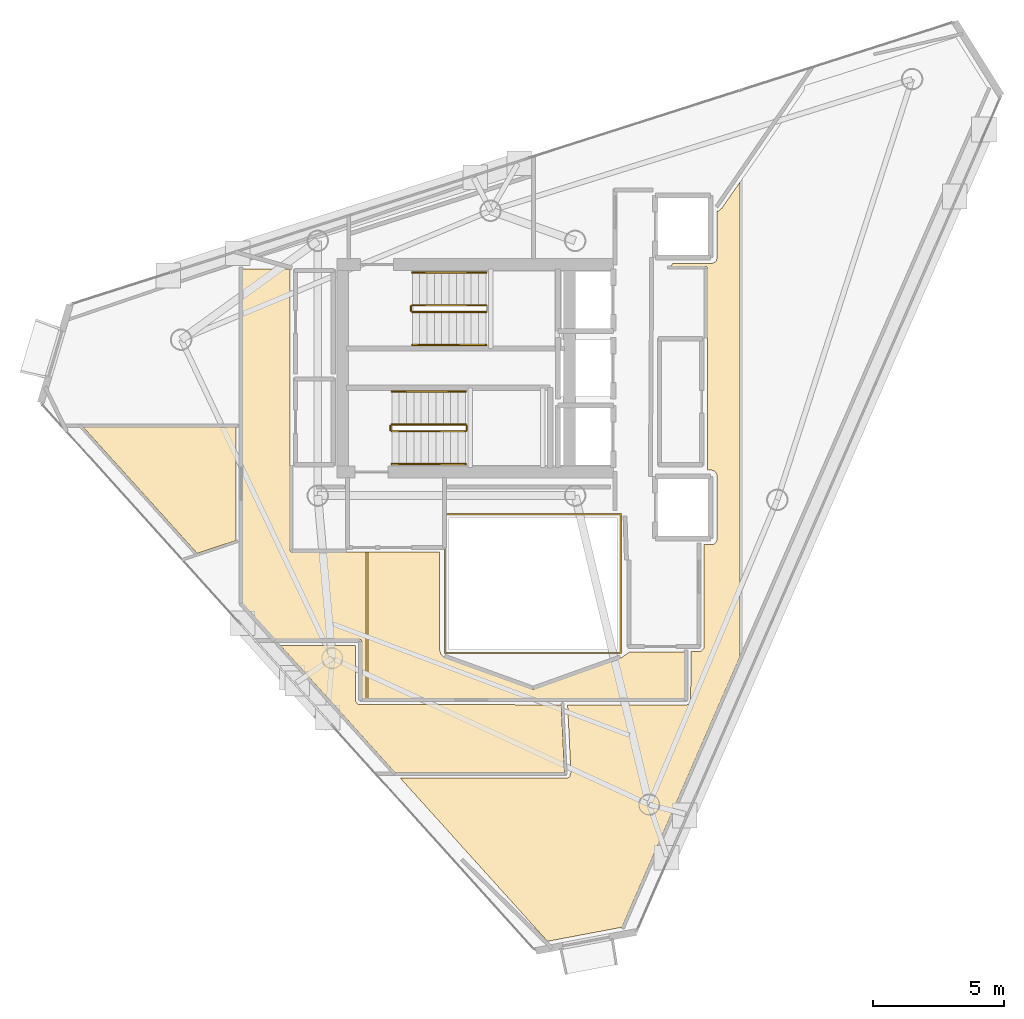
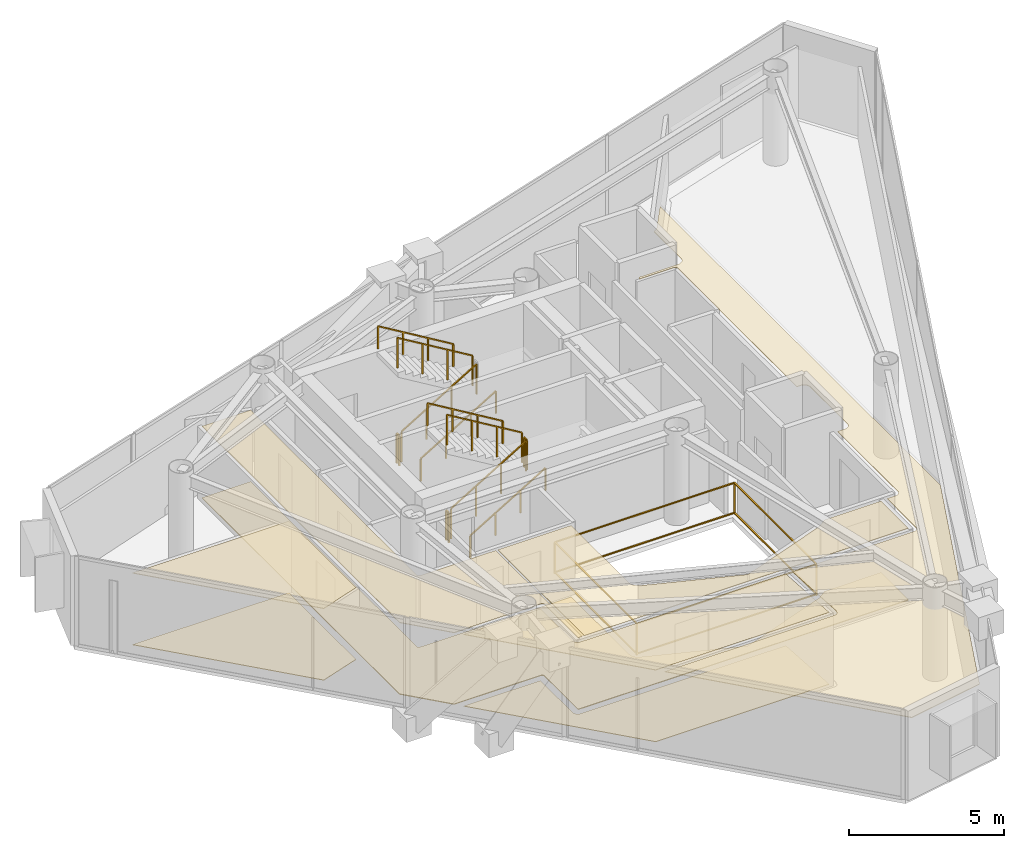
# One storey, part 18 of 19: 12 railings, 8 coverings.
"""IFC4 building model written with IfcOpenShell, lengths in metres."""

from ifc_helpers import new_model, si_unit, direction, frame, origin, origin_2d, place, context, subcontext, project, spatial, polyline, rectangle, outline, extrude, material, layer, layer_set, type_object, element, save


model = new_model("IFC4")

# Units and contexts
model_context = context("Model", 3, precision=1e-05, world=origin(), true_north=direction((0.0, 1.0)))
body_context = subcontext(model_context, "Body", "Model", "MODEL_VIEW")
ifc_project = project(units=[si_unit("LENGTHUNIT", "METRE"), si_unit("AREAUNIT", "SQUARE_METRE"), si_unit("VOLUMEUNIT", "CUBIC_METRE"), si_unit("PLANEANGLEUNIT", "RADIAN"), si_unit("MASSUNIT", "GRAM", prefix="KILO")], contexts=[model_context])

# Site, building, storey
site_placement = place(None, origin())
site = spatial("IfcSite", under=ifc_project, at=site_placement, CompositionType="ELEMENT")
building_placement = place(site_placement, origin())
building = spatial("IfcBuilding", under=site, at=building_placement, Name="Qianvela Tower", CompositionType="ELEMENT")
storey_placement = place(building_placement, frame((0.0, 0.0, 329.60009765625)))
storey = spatial("IfcBuildingStorey", under=building, at=storey_placement, Name="L85", CompositionType="ELEMENT", Elevation=329.60009765625)

# Coverings
ifc_material_1 = material(Name="Perforated Mineral Acoustic Ceiling Tile")
ifc_layer_1 = layer(ifc_material_1, 0.02490234375)
ifc_layer_set_1 = layer_set([ifc_layer_1], Name="Perforated Mineral Acoustic Ceiling Tile")
covering_type_1 = type_object("IfcCoveringType", Name="COV-CEIL-ACOUSTIC-25", PredefinedType="CEILING", material=ifc_layer_set_1)
covering_1_placement = place(storey_placement, frame((0.0, 0.0, 2.81494140625)))
element("IfcCovering", 1, at=covering_1_placement, inside=storey, type_object=covering_type_1, Name="L85 Acoustic Ceiling Bay 1 L85 Floor Corridor", PredefinedType="CEILING", context=body_context, shape_type="SweptSolid", body=[
    extrude(outline(polyline([(30.280029296875, 16.1298828125), (30.280029296875, 18.300048828125), (30.279541015625, 18.307861328125), (30.278564453125, 18.315673828125), (30.276611328125, 18.3232421875), (30.27392578125, 18.33056640625), (30.2705078125, 18.337646484375), (30.2666015625, 18.344482421875), (30.26171875, 18.350830078125), (30.256591796875, 18.356689453125), (30.250732421875, 18.36181640625), (30.244384765625, 18.366455078125), (30.23779296875, 18.37060546875), (30.230712890625, 18.373779296875), (30.22314453125, 18.376708984375), (30.215576171875, 18.37841796875), (30.207763671875, 18.379638671875), (30.199951171875, 18.3798828125), (26.9658203125, 18.3798828125), (25.72998046875, 19.74853515625), (25.72998046875, 32.469970703125), (27.5400390625, 32.469970703125), (27.5400390625, 21.780029296875), (27.540283203125, 21.772216796875), (27.54150390625, 21.764404296875), (27.54345703125, 21.7568359375), (27.546142578125, 21.74951171875), (27.54931640625, 21.7421875), (27.553466796875, 21.735595703125), (27.55810546875, 21.729248046875), (27.5634765625, 21.723388671875), (27.569091796875, 21.71826171875), (27.57568359375, 21.71337890625), (27.582275390625, 21.70947265625), (27.58935546875, 21.7060546875), (27.5966796875, 21.703369140625), (27.6044921875, 21.701416015625), (27.6123046875, 21.700439453125), (27.6201171875, 21.699951171875), (30.4326171875, 21.699951171875), (30.4326171875, 16.1298828125), (30.280029296875, 16.1298828125)])), origin(), (0.0, 0.0, 1.0), 0.02490234375),
])
covering_2_placement = place(storey_placement, frame((0.0, 0.0, 2.81494140625)))
element("IfcCovering", 2, at=covering_2_placement, inside=storey, type_object=covering_type_1, Name="L85 Acoustic Ceiling Bay 2 L85 Floor Corridor", PredefinedType="CEILING", context=body_context, shape_type="SweptSolid", body=[
    extrude(outline(polyline([(33.240478515625, 17.990234375), (33.242431640625, 17.980712890625), (33.275390625, 17.8486328125), (33.277587890625, 17.841064453125), (33.28076171875, 17.833740234375), (33.284423828125, 17.826904296875), (33.288818359375, 17.8203125), (33.293701171875, 17.814208984375), (33.38525390625, 17.71337890625), (33.390625, 17.7080078125), (33.396728515625, 17.702880859375), (33.4033203125, 17.698486328125), (33.41015625, 17.69482421875), (33.417236328125, 17.69189453125), (36.77294921875, 16.482666015625), (36.780517578125, 16.48046875), (36.7880859375, 16.47900390625), (36.7958984375, 16.47802734375), (36.8037109375, 16.47802734375), (36.811767578125, 16.47900390625), (36.8193359375, 16.48046875), (36.826904296875, 16.482666015625), (40.134033203125, 17.666015625), (40.140869140625, 17.668701171875), (40.1474609375, 17.672119140625), (40.153564453125, 17.676025390625), (40.458740234375, 17.89306640625), (42.570068359375, 17.899658203125), (42.570068359375, 16.1298828125), (30.5126953125, 16.1298828125), (30.5126953125, 21.699951171875), (33.239990234375, 21.699951171875), (33.239990234375, 18.0), (33.240478515625, 17.990234375)])), origin(), (0.0, 0.0, 1.0), 0.02490234375),
])
covering_3_placement = place(storey_placement, frame((0.0, 0.0, 2.81494140625)))
element("IfcCovering", 3, at=covering_3_placement, inside=storey, type_object=covering_type_1, Name="L85 Acoustic Ceiling Commons Day Lounge L85-01", PredefinedType="CEILING", context=body_context, shape_type="SweptSolid", body=[
    extrude(outline(polyline([(24.01123046875, 21.652099609375), (19.67041015625, 26.459716796875), (25.489990234375, 26.459716796875), (25.489990234375, 22.142822265625), (24.01123046875, 21.652099609375)])), origin(), (0.0, 0.0, 1.0), 0.02490234375),
])
covering_4_placement = place(storey_placement, frame((0.0, 0.0, 2.81494140625)))
element("IfcCovering", 4, at=covering_4_placement, inside=storey, type_object=covering_type_1, Name="L85 Acoustic Ceiling Quiet Reading Study L85-02", PredefinedType="CEILING", context=body_context, shape_type="SweptSolid", body=[
    extrude(outline(polyline([(30.0400390625, 18.139892578125), (30.0400390625, 16.050048828125), (30.040283203125, 16.042236328125), (30.04150390625, 16.034423828125), (30.04345703125, 16.02685546875), (30.046142578125, 16.019287109375), (30.04931640625, 16.01220703125), (30.053466796875, 16.005615234375), (30.05810546875, 15.999267578125), (30.12255859375, 15.9208984375), (30.127685546875, 15.9150390625), (30.133544921875, 15.90966796875), (30.139892578125, 15.905029296875), (30.146728515625, 15.90087890625), (30.15380859375, 15.897705078125), (30.1611328125, 15.89501953125), (30.168701171875, 15.89306640625), (30.176513671875, 15.891845703125), (30.184326171875, 15.8916015625), (37.8671875, 15.889892578125), (37.99169921875, 13.316162109375), (31.537841796875, 13.316162109375), (27.182373046875, 18.139892578125), (30.0400390625, 18.139892578125)])), origin(), (0.0, 0.0, 1.0), 0.02490234375),
])
covering_5_placement = place(storey_placement, frame((0.0, 0.0, 2.81494140625)))
element("IfcCovering", 5, at=covering_5_placement, inside=storey, type_object=covering_type_1, Name="L85 Acoustic Ceiling Bay 1 Stationery Supply Boutique L85-04", PredefinedType="CEILING", context=body_context, shape_type="SweptSolid", body=[
    extrude(outline(polyline([(38.21630859375, 13.2626953125), (38.22119140625, 13.2685546875), (38.22509765625, 13.27490234375), (38.228759765625, 13.28173828125), (38.2314453125, 13.288818359375), (38.233642578125, 13.296142578125), (38.235107421875, 13.3037109375), (38.23583984375, 13.311279296875), (38.23583984375, 13.31884765625), (38.111328125, 15.889892578125), (42.64990234375, 15.889892578125), (42.65771484375, 15.890380859375), (42.66552734375, 15.8916015625), (42.673095703125, 15.893310546875), (42.6806640625, 15.89599609375), (42.687744140625, 15.8994140625), (42.754150390625, 15.93505859375), (42.760986328125, 15.93896484375), (42.76708984375, 15.943603515625), (42.77294921875, 15.948974609375), (42.7783203125, 15.95458984375), (42.782958984375, 15.9609375), (42.787109375, 15.967529296875), (42.790283203125, 15.974609375), (42.79296875, 15.98193359375), (42.794921875, 15.989501953125), (42.796142578125, 15.997314453125), (42.79638671875, 16.005126953125), (42.806884765625, 17.920166015625), (43.157958984375, 17.92041015625), (43.165771484375, 17.9208984375), (43.173583984375, 17.921875), (43.18115234375, 17.923828125), (43.1884765625, 17.926513671875), (43.195556640625, 17.9296875), (43.202392578125, 17.933837890625), (43.20849609375, 17.938720703125), (43.21435546875, 17.94384765625), (43.2861328125, 18.015625), (43.29150390625, 18.021484375), (43.296142578125, 18.027587890625), (43.30029296875, 18.034423828125), (43.303466796875, 18.04150390625), (43.30615234375, 18.048828125), (43.30810546875, 18.056640625), (43.30908203125, 18.064208984375), (43.3095703125, 18.072265625), (43.309326171875, 21.981201171875), (43.621826171875, 21.986083984375), (43.62939453125, 21.986572265625), (43.63720703125, 21.98779296875), (43.64453125, 21.98974609375), (43.651611328125, 21.9921875), (43.658447265625, 21.99560546875), (43.6650390625, 21.99951171875), (43.732666015625, 22.044677734375), (43.739013671875, 22.04931640625), (43.744873046875, 22.0546875), (43.75, 22.060302734375), (43.754638671875, 22.066650390625), (43.7587890625, 22.073486328125), (43.76220703125, 22.08056640625), (43.793212890625, 22.15576171875), (43.7958984375, 22.1630859375), (43.7978515625, 22.170654296875), (43.798828125, 22.178466796875), (43.79931640625, 22.186279296875), (43.79931640625, 24.61376953125), (43.799072265625, 24.620849609375), (43.798095703125, 24.627685546875), (43.79638671875, 24.634765625), (43.79443359375, 24.641357421875), (43.79150390625, 24.64794921875), (43.751220703125, 24.733154296875), (43.74755859375, 24.739990234375), (43.743408203125, 24.74658203125), (43.73828125, 24.752685546875), (43.732666015625, 24.75830078125), (43.726806640625, 24.76318359375), (43.72021484375, 24.767578125), (43.713134765625, 24.771240234375), (43.6279296875, 24.8115234375), (43.619873046875, 24.81494140625), (43.611328125, 24.8173828125), (43.6025390625, 24.81884765625), (43.59375, 24.8193359375), (43.423828125, 24.8193359375), (43.423828125, 24.8193359375), (43.426513671875, 24.826904296875), (43.428466796875, 24.83447265625), (43.4296875, 24.84228515625), (43.429931640625, 24.85009765625), (43.429931640625, 32.5), (43.4296875, 32.5078125), (43.428466796875, 32.515625), (43.426513671875, 32.523193359375), (43.423828125, 32.530517578125), (43.420654296875, 32.53759765625), (43.41650390625, 32.54443359375), (43.411865234375, 32.55078125), (43.406494140625, 32.556640625), (43.40087890625, 32.561767578125), (43.394287109375, 32.56640625), (43.3876953125, 32.570556640625), (43.380615234375, 32.573974609375), (43.373291015625, 32.57666015625), (43.365478515625, 32.57861328125), (43.35791015625, 32.57958984375), (43.35009765625, 32.580078125), (42.04541015625, 32.580078125), (42.10009765625, 32.679931640625), (43.580078125, 32.679931640625), (43.587890625, 32.680419921875), (43.595703125, 32.681396484375), (43.603271484375, 32.683349609375), (43.610595703125, 32.68603515625), (43.61767578125, 32.689453125), (43.734130859375, 32.751708984375), (43.740966796875, 32.755615234375), (43.747314453125, 32.760498046875), (43.7529296875, 32.765625), (43.75830078125, 32.771484375), (43.762939453125, 32.77783203125), (43.76708984375, 32.784423828125), (43.770263671875, 32.79150390625), (43.77294921875, 32.799072265625), (43.796630859375, 32.876708984375), (43.798583984375, 32.884521484375), (43.799560546875, 32.89208984375), (43.800048828125, 32.89990234375), (43.800048828125, 34.67578125), (43.852783203125, 34.68896484375), (43.860107421875, 34.691162109375), (43.8671875, 34.694091796875), (43.8740234375, 34.697509765625), (43.880615234375, 34.701904296875), (43.88671875, 34.70654296875), (43.971435546875, 34.78173828125), (43.97802734375, 34.788330078125), (43.98388671875, 34.7958984375), (44.6708984375, 35.779296875), (44.6708984375, 17.718017578125), (40.1787109375, 7.419921875), (37.34521484375, 6.884765625), (31.74609375, 13.09423828125), (38.088134765625, 13.095458984375), (38.095703125, 13.095703125), (38.10302734375, 13.096923828125), (38.1103515625, 13.0986328125), (38.117431640625, 13.10107421875), (38.124267578125, 13.104248046875), (38.130859375, 13.10791015625), (38.136962890625, 13.1123046875), (38.18017578125, 13.1455078125), (38.186279296875, 13.150634765625), (38.191650390625, 13.15625), (38.196533203125, 13.16259765625), (38.20068359375, 13.169189453125), (38.204345703125, 13.17626953125), (38.207275390625, 13.18359375), (38.209228515625, 13.191162109375), (38.210693359375, 13.198974609375), (38.211181640625, 13.206787109375), (38.21240234375, 13.258544921875), (38.21630859375, 13.2626953125)])), origin(), (0.0, 0.0, 1.0), 0.02490234375),
])
ifc_material_2 = material(Name="Engineered Acoustic Oak Timber Flooring", Category="wood")
ifc_layer_2 = layer(ifc_material_2, 0.02001953125)
ifc_layer_set_2 = layer_set([ifc_layer_2], Name="Engineered Acoustic Oak Timber Flooring")
covering_type_2 = type_object("IfcCoveringType", Name="COV-FLOOR-OAK-20", PredefinedType="FLOORING", material=ifc_layer_set_2)
covering_6_placement = place(storey_placement, origin())
element("IfcCovering", 6, at=covering_6_placement, inside=storey, type_object=covering_type_2, Name="L85 Finish Flooring Commons Day Lounge L85-01", PredefinedType="FLOORING", context=body_context, shape_type="SweptSolid", body=[
    extrude(outline(polyline([(24.01123046875, 21.652099609375), (19.67041015625, 26.459716796875), (25.489990234375, 26.459716796875), (25.489990234375, 22.142822265625), (24.01123046875, 21.652099609375)])), origin(), (0.0, 0.0, 1.0), 0.02001953125),
])
covering_7_placement = place(storey_placement, origin())
element("IfcCovering", 7, at=covering_7_placement, inside=storey, type_object=covering_type_2, Name="L85 Finish Flooring Quiet Reading Study L85-02", PredefinedType="FLOORING", context=body_context, shape_type="SweptSolid", body=[
    extrude(outline(polyline([(30.0400390625, 18.139892578125), (30.0400390625, 16.050048828125), (30.040283203125, 16.042236328125), (30.04150390625, 16.034423828125), (30.04345703125, 16.02685546875), (30.046142578125, 16.019287109375), (30.04931640625, 16.01220703125), (30.053466796875, 16.005615234375), (30.05810546875, 15.999267578125), (30.12255859375, 15.9208984375), (30.127685546875, 15.9150390625), (30.133544921875, 15.90966796875), (30.139892578125, 15.905029296875), (30.146728515625, 15.90087890625), (30.15380859375, 15.897705078125), (30.1611328125, 15.89501953125), (30.168701171875, 15.89306640625), (30.176513671875, 15.891845703125), (30.184326171875, 15.8916015625), (37.8671875, 15.889892578125), (37.99169921875, 13.316162109375), (31.537841796875, 13.316162109375), (27.182373046875, 18.139892578125), (30.0400390625, 18.139892578125)])), origin(), (0.0, 0.0, 1.0), 0.02001953125),
])
ifc_material_3 = material(Name="Honed Stone Terrazzo Flooring", Category="masonry")
ifc_layer_3 = layer(ifc_material_3, 0.030029296875)
ifc_layer_set_3 = layer_set([ifc_layer_3], Name="Honed Stone Terrazzo Flooring")
covering_type_3 = type_object("IfcCoveringType", Name="COV-FLOOR-TERRAZZO-30", PredefinedType="FLOORING", material=ifc_layer_set_3)
covering_8_placement = place(storey_placement, origin())
element("IfcCovering", 8, at=covering_8_placement, inside=storey, type_object=covering_type_3, Name="L85 Finish Flooring L85 Floor Corridor", PredefinedType="FLOORING", context=body_context, shape_type="SweptSolid", body=[
    extrude(outline(polyline([(33.239990234375, 18.0), (33.240478515625, 17.990234375), (33.242431640625, 17.980712890625), (33.275390625, 17.8486328125), (33.277587890625, 17.841064453125), (33.28076171875, 17.833740234375), (33.284423828125, 17.826904296875), (33.288818359375, 17.8203125), (33.293701171875, 17.814208984375), (33.38525390625, 17.71337890625), (33.390625, 17.7080078125), (33.396728515625, 17.702880859375), (33.4033203125, 17.698486328125), (33.41015625, 17.69482421875), (33.417236328125, 17.69189453125), (36.77294921875, 16.482666015625), (36.780517578125, 16.48046875), (36.7880859375, 16.47900390625), (36.7958984375, 16.47802734375), (36.8037109375, 16.47802734375), (36.811767578125, 16.47900390625), (36.8193359375, 16.48046875), (36.826904296875, 16.482666015625), (40.134033203125, 17.666015625), (40.140869140625, 17.668701171875), (40.1474609375, 17.672119140625), (40.153564453125, 17.676025390625), (40.458740234375, 17.89306640625), (42.570068359375, 17.899658203125), (42.570068359375, 16.1298828125), (30.280029296875, 16.1298828125), (30.280029296875, 18.300048828125), (30.279541015625, 18.307861328125), (30.278564453125, 18.315673828125), (30.276611328125, 18.3232421875), (30.27392578125, 18.33056640625), (30.2705078125, 18.337646484375), (30.2666015625, 18.344482421875), (30.26171875, 18.350830078125), (30.256591796875, 18.356689453125), (30.250732421875, 18.36181640625), (30.244384765625, 18.366455078125), (30.23779296875, 18.37060546875), (30.230712890625, 18.373779296875), (30.22314453125, 18.376708984375), (30.215576171875, 18.37841796875), (30.207763671875, 18.379638671875), (30.199951171875, 18.3798828125), (26.9658203125, 18.3798828125), (25.72998046875, 19.74853515625), (25.72998046875, 32.469970703125), (27.5400390625, 32.469970703125), (27.5400390625, 21.780029296875), (27.540283203125, 21.772216796875), (27.54150390625, 21.764404296875), (27.54345703125, 21.7568359375), (27.546142578125, 21.74951171875), (27.54931640625, 21.7421875), (27.553466796875, 21.735595703125), (27.55810546875, 21.729248046875), (27.5634765625, 21.723388671875), (27.569091796875, 21.71826171875), (27.57568359375, 21.71337890625), (27.582275390625, 21.70947265625), (27.58935546875, 21.7060546875), (27.5966796875, 21.703369140625), (27.6044921875, 21.701416015625), (27.6123046875, 21.700439453125), (27.6201171875, 21.699951171875), (33.239990234375, 21.699951171875), (33.239990234375, 18.0)])), origin(), (0.0, 0.0, 1.0), 0.02978515625),
])

# Railings
ifc_material_4 = material(Name="Laminated Safety Glass and Stainless Steel 316", Category="steel")
railing_type_1 = type_object("IfcRailingType", Name="RL-ATRIUM-GUARD-1250", PredefinedType="GUARDRAIL", material=ifc_material_4)
railing_1_placement = place(storey_placement, frame((33.4599609375, 17.860107421875, 0.0)))
element("IfcRailing", 9, at=railing_1_placement, inside=storey, type_object=railing_type_1, Name="L85 Atrium Edge Guardrail 1", PredefinedType="GUARDRAIL", context=body_context, shape_type="SweptSolid", body=[
    extrude(rectangle(XDim=0.050048828125, YDim=0.0400390625, at=origin_2d()), frame((0.0, 0.0, 1.22998046875), z_axis=(0.0, 1.0, 0.0), x_axis=(-1.0, 0.0, 0.0)), (0.0, 0.0, 1.0), 5.27978515625),
    extrude(rectangle(XDim=0.050048828125, YDim=0.0400390625, at=origin_2d()), frame((0.0, 0.0, 0.050048828125), z_axis=(0.0, 1.0, 0.0), x_axis=(-1.0, 0.0, 0.0)), (0.0, 0.0, 1.0), 5.27978515625),
    extrude(rectangle(XDim=0.050048828125, YDim=0.0400390625, at=origin_2d()), frame((0.0, 5.27978515625, 1.22998046875), z_axis=(1.0, 0.0, 0.0), x_axis=(0.0, 1.0, 0.0)), (0.0, 0.0, 1.0), 6.679931640625),
    extrude(rectangle(XDim=0.050048828125, YDim=0.0400390625, at=origin_2d()), frame((0.0, 5.27978515625, 0.050048828125), z_axis=(1.0, 0.0, 0.0), x_axis=(0.0, 1.0, 0.0)), (0.0, 0.0, 1.0), 6.679931640625),
    extrude(rectangle(XDim=0.050048828125, YDim=0.0400390625, at=origin_2d()), frame((6.679931640625, 5.27978515625, 1.22998046875), z_axis=(0.0, -1.0, 0.0), x_axis=(1.0, 0.0, 0.0)), (0.0, 0.0, 1.0), 5.27978515625),
    extrude(rectangle(XDim=0.050048828125, YDim=0.0400390625, at=origin_2d()), frame((6.679931640625, 5.27978515625, 0.050048828125), z_axis=(0.0, -1.0, 0.0), x_axis=(1.0, 0.0, 0.0)), (0.0, 0.0, 1.0), 5.27978515625),
    extrude(rectangle(XDim=0.050048828125, YDim=0.0400390625, at=origin_2d()), frame((6.679931640625, 0.0, 1.22998046875), z_axis=(-1.0, 0.0, 0.0), x_axis=(0.0, -1.0, 0.0)), (0.0, 0.0, 1.0), 6.679931640625),
    extrude(rectangle(XDim=0.050048828125, YDim=0.0400390625, at=origin_2d()), frame((6.679931640625, 0.0, 0.050048828125), z_axis=(-1.0, 0.0, 0.0), x_axis=(0.0, -1.0, 0.0)), (0.0, 0.0, 1.0), 6.679931640625),
    extrude(rectangle(XDim=0.050048828125, YDim=0.050048828125, at=origin_2d()), origin(), (0.0, 0.0, 1.0), 1.2099609375),
    extrude(rectangle(XDim=0.050048828125, YDim=0.050048828125, at=origin_2d()), frame((0.0, 5.27978515625, 0.0)), (0.0, 0.0, 1.0), 1.2099609375),
    extrude(rectangle(XDim=0.050048828125, YDim=0.050048828125, at=origin_2d()), frame((6.679931640625, 5.27978515625, 0.0)), (0.0, 0.0, 1.0), 1.2099609375),
    extrude(rectangle(XDim=0.050048828125, YDim=0.050048828125, at=origin_2d()), frame((6.679931640625, 0.0, 0.0)), (0.0, 0.0, 1.0), 1.2099609375),
])
ifc_material_5 = material(Name="Painted Tubular Steel Q355B", Category="steel")
railing_type_2 = type_object("IfcRailingType", Name="RL-STAIR-GUARD-1200", PredefinedType="GUARDRAIL", material=ifc_material_5)
railing_2_placement = place(storey_placement, frame((32.199951171875, 30.840087890625, 0.16796875)))
element("IfcRailing", 10, at=railing_2_placement, inside=storey, type_object=railing_type_2, Name="L85 ST-1 stair guard 1", PredefinedType="GUARDRAIL", context=body_context, shape_type="SweptSolid", body=[
    extrude(rectangle(XDim=0.050048828125, YDim=0.0400390625, at=origin_2d()), frame((0.0, 0.0, 1.179931640625), z_axis=(0.857242210791, 0.0, 0.514913383045), x_axis=(0.0, 1.0, 0.0)), (0.0, 0.0, 1.0), 3.266357421875),
    extrude(rectangle(XDim=0.050048828125, YDim=0.050048828125, at=origin_2d()), origin(), (0.0, 0.0, 1.0), 1.159912109375),
    extrude(rectangle(XDim=0.050048828125, YDim=0.050048828125, at=origin_2d()), frame((0.933349609375, 0.0, 0.560546875)), (0.0, 0.0, 1.0), 1.159912109375),
    extrude(rectangle(XDim=0.050048828125, YDim=0.050048828125, at=origin_2d()), frame((1.86669921875, 0.0, 1.121337890625)), (0.0, 0.0, 1.0), 1.159912109375),
    extrude(rectangle(XDim=0.050048828125, YDim=0.050048828125, at=origin_2d()), frame((2.800048828125, 0.0, 1.681884765625)), (0.0, 0.0, 1.0), 1.159912109375),
])
railing_3_placement = place(storey_placement, frame((35.0, 31.10009765625, 2.01806640625)))
element("IfcRailing", 11, at=railing_3_placement, inside=storey, type_object=railing_type_2, Name="L85 ST-1 stair guard 3", PredefinedType="GUARDRAIL", context=body_context, shape_type="SweptSolid", body=[
    extrude(rectangle(XDim=0.050048828125, YDim=0.0400390625, at=origin_2d()), frame((0.0, 0.0, 1.179931640625), z_axis=(-0.857242210791, 0.0, 0.514913383045), x_axis=(0.0, -1.0, 0.0)), (0.0, 0.0, 1.0), 3.266357421875),
    extrude(rectangle(XDim=0.050048828125, YDim=0.050048828125, at=origin_2d()), origin(), (0.0, 0.0, 1.0), 1.159912109375),
    extrude(rectangle(XDim=0.050048828125, YDim=0.050048828125, at=origin_2d()), frame((-0.933349609375, 0.0, 0.560546875)), (0.0, 0.0, 1.0), 1.159912109375),
    extrude(rectangle(XDim=0.050048828125, YDim=0.050048828125, at=origin_2d()), frame((-1.86669921875, 0.0, 1.121337890625)), (0.0, 0.0, 1.0), 1.159912109375),
    extrude(rectangle(XDim=0.050048828125, YDim=0.050048828125, at=origin_2d()), frame((-2.800048828125, 0.0, 1.681884765625)), (0.0, 0.0, 1.0), 1.159912109375),
])
railing_4_placement = place(storey_placement, frame((32.14990234375, 30.889892578125, 0.0)))
element("IfcRailing", 12, at=railing_4_placement, inside=storey, type_object=railing_type_2, Name="L85 ST-1 stair guard 4", PredefinedType="GUARDRAIL", context=body_context, shape_type="SweptSolid", body=[
    extrude(rectangle(XDim=0.050048828125, YDim=0.0400390625, at=origin_2d()), frame((0.0, 0.0, 1.179931640625), z_axis=(0.0, 1.0, 0.0), x_axis=(-1.0, 0.0, 0.0)), (0.0, 0.0, 1.0), 0.16015625),
    extrude(rectangle(XDim=0.050048828125, YDim=0.050048828125, at=origin_2d()), origin(), (0.0, 0.0, 1.0), 1.159912109375),
    extrude(rectangle(XDim=0.050048828125, YDim=0.050048828125, at=origin_2d()), frame((0.0, 0.16015625, 0.0)), (0.0, 0.0, 1.0), 1.159912109375),
])
railing_5_placement = place(storey_placement, frame((31.419921875, 26.300048828125, 0.16796875)))
element("IfcRailing", 13, at=railing_5_placement, inside=storey, type_object=railing_type_2, Name="L85 ST-2 stair guard 1", PredefinedType="GUARDRAIL", context=body_context, shape_type="SweptSolid", body=[
    extrude(rectangle(XDim=0.050048828125, YDim=0.0400390625, at=origin_2d()), frame((0.0, 0.0, 1.179931640625), z_axis=(0.857242210791, 0.0, 0.514913383045), x_axis=(0.0, 1.0, 0.0)), (0.0, 0.0, 1.0), 3.266357421875),
    extrude(rectangle(XDim=0.050048828125, YDim=0.050048828125, at=origin_2d()), origin(), (0.0, 0.0, 1.0), 1.159912109375),
    extrude(rectangle(XDim=0.050048828125, YDim=0.050048828125, at=origin_2d()), frame((0.933349609375, 0.0, 0.560546875)), (0.0, 0.0, 1.0), 1.159912109375),
    extrude(rectangle(XDim=0.050048828125, YDim=0.050048828125, at=origin_2d()), frame((1.86669921875, 0.0, 1.121337890625)), (0.0, 0.0, 1.0), 1.159912109375),
    extrude(rectangle(XDim=0.050048828125, YDim=0.050048828125, at=origin_2d()), frame((2.800048828125, 0.0, 1.681884765625)), (0.0, 0.0, 1.0), 1.159912109375),
])
railing_6_placement = place(storey_placement, frame((34.27001953125, 26.35009765625, 1.849853515625)))
element("IfcRailing", 14, at=railing_6_placement, inside=storey, type_object=railing_type_2, Name="L85 ST-2 stair guard 2", PredefinedType="GUARDRAIL", context=body_context, shape_type="SweptSolid", body=[
    extrude(rectangle(XDim=0.050048828125, YDim=0.0400390625, at=origin_2d()), frame((0.0, 0.0, 1.179931640625), z_axis=(0.0, 1.0, 0.0), x_axis=(-1.0, 0.0, 0.0)), (0.0, 0.0, 1.0), 0.159912109375),
    extrude(rectangle(XDim=0.050048828125, YDim=0.050048828125, at=origin_2d()), origin(), (0.0, 0.0, 1.0), 1.159912109375),
    extrude(rectangle(XDim=0.050048828125, YDim=0.050048828125, at=origin_2d()), frame((0.0, 0.159912109375, 0.0)), (0.0, 0.0, 1.0), 1.159912109375),
])
railing_7_placement = place(storey_placement, frame((34.219970703125, 26.56005859375, 2.01806640625)))
element("IfcRailing", 15, at=railing_7_placement, inside=storey, type_object=railing_type_2, Name="L85 ST-2 stair guard 3", PredefinedType="GUARDRAIL", context=body_context, shape_type="SweptSolid", body=[
    extrude(rectangle(XDim=0.050048828125, YDim=0.0400390625, at=origin_2d()), frame((0.0, 0.0, 1.179931640625), z_axis=(-0.857242210791, 0.0, 0.514913383045), x_axis=(0.0, -1.0, 0.0)), (0.0, 0.0, 1.0), 3.266357421875),
    extrude(rectangle(XDim=0.050048828125, YDim=0.050048828125, at=origin_2d()), origin(), (0.0, 0.0, 1.0), 1.159912109375),
    extrude(rectangle(XDim=0.050048828125, YDim=0.050048828125, at=origin_2d()), frame((-0.933349609375, 0.0, 0.560546875)), (0.0, 0.0, 1.0), 1.159912109375),
    extrude(rectangle(XDim=0.050048828125, YDim=0.050048828125, at=origin_2d()), frame((-1.86669921875, 0.0, 1.121337890625)), (0.0, 0.0, 1.0), 1.159912109375),
    extrude(rectangle(XDim=0.050048828125, YDim=0.050048828125, at=origin_2d()), frame((-2.800048828125, 0.0, 1.681884765625)), (0.0, 0.0, 1.0), 1.159912109375),
])
railing_8_placement = place(storey_placement, frame((31.3701171875, 26.35009765625, 0.0)))
element("IfcRailing", 16, at=railing_8_placement, inside=storey, type_object=railing_type_2, Name="L85 ST-2 stair guard 4", PredefinedType="GUARDRAIL", context=body_context, shape_type="SweptSolid", body=[
    extrude(rectangle(XDim=0.050048828125, YDim=0.0400390625, at=origin_2d()), frame((0.0, 0.0, 1.179931640625), z_axis=(0.0, 1.0, 0.0), x_axis=(-1.0, 0.0, 0.0)), (0.0, 0.0, 1.0), 0.159912109375),
    extrude(rectangle(XDim=0.050048828125, YDim=0.050048828125, at=origin_2d()), origin(), (0.0, 0.0, 1.0), 1.159912109375),
    extrude(rectangle(XDim=0.050048828125, YDim=0.050048828125, at=origin_2d()), frame((0.0, 0.159912109375, 0.0)), (0.0, 0.0, 1.0), 1.159912109375),
])
ifc_material_6 = material(Name="Brushed Stainless Steel 304", Category="steel")
railing_type_3 = type_object("IfcRailingType", Name="RL-STAIR-HANDRAIL-900", PredefinedType="HANDRAIL", material=ifc_material_6)
railing_9_placement = place(storey_placement, frame((32.199951171875, 29.590087890625, 0.16796875)))
element("IfcRailing", 17, at=railing_9_placement, inside=storey, type_object=railing_type_3, Name="L85 ST-1 stair handrail 1", PredefinedType="HANDRAIL", context=body_context, shape_type="SweptSolid", body=[
    extrude(rectangle(XDim=0.050048828125, YDim=0.0400390625, at=origin_2d()), frame((0.0, 0.0, 0.8798828125), z_axis=(0.857242210791, 0.0, 0.514913383045), x_axis=(0.0, 1.0, 0.0)), (0.0, 0.0, 1.0), 3.266357421875),
    extrude(rectangle(XDim=0.050048828125, YDim=0.050048828125, at=origin_2d()), origin(), (0.0, 0.0, 1.0), 0.85986328125),
    extrude(rectangle(XDim=0.050048828125, YDim=0.050048828125, at=origin_2d()), frame((0.933349609375, 0.0, 0.560546875)), (0.0, 0.0, 1.0), 0.85986328125),
    extrude(rectangle(XDim=0.050048828125, YDim=0.050048828125, at=origin_2d()), frame((1.86669921875, 0.0, 1.121337890625)), (0.0, 0.0, 1.0), 0.85986328125),
    extrude(rectangle(XDim=0.050048828125, YDim=0.050048828125, at=origin_2d()), frame((2.800048828125, 0.0, 1.681884765625)), (0.0, 0.0, 1.0), 0.85986328125),
])
railing_10_placement = place(storey_placement, frame((35.0, 32.35009765625, 2.01806640625)))
element("IfcRailing", 18, at=railing_10_placement, inside=storey, type_object=railing_type_3, Name="L85 ST-1 stair handrail 2", PredefinedType="HANDRAIL", context=body_context, shape_type="SweptSolid", body=[
    extrude(rectangle(XDim=0.050048828125, YDim=0.0400390625, at=origin_2d()), frame((0.0, 0.0, 0.8798828125), z_axis=(-0.857242210791, 0.0, 0.514913383045), x_axis=(0.0, -1.0, 0.0)), (0.0, 0.0, 1.0), 3.266357421875),
    extrude(rectangle(XDim=0.050048828125, YDim=0.050048828125, at=origin_2d()), origin(), (0.0, 0.0, 1.0), 0.85986328125),
    extrude(rectangle(XDim=0.050048828125, YDim=0.050048828125, at=origin_2d()), frame((-0.933349609375, 0.0, 0.560546875)), (0.0, 0.0, 1.0), 0.85986328125),
    extrude(rectangle(XDim=0.050048828125, YDim=0.050048828125, at=origin_2d()), frame((-1.86669921875, 0.0, 1.121337890625)), (0.0, 0.0, 1.0), 0.85986328125),
    extrude(rectangle(XDim=0.050048828125, YDim=0.050048828125, at=origin_2d()), frame((-2.800048828125, 0.0, 1.681884765625)), (0.0, 0.0, 1.0), 0.85986328125),
])
railing_11_placement = place(storey_placement, frame((31.419921875, 25.050048828125, 0.16796875)))
element("IfcRailing", 19, at=railing_11_placement, inside=storey, type_object=railing_type_3, Name="L85 ST-2 stair handrail 1", PredefinedType="HANDRAIL", context=body_context, shape_type="SweptSolid", body=[
    extrude(rectangle(XDim=0.050048828125, YDim=0.0400390625, at=origin_2d()), frame((0.0, 0.0, 0.8798828125), z_axis=(0.857242210791, 0.0, 0.514913383045), x_axis=(0.0, 1.0, 0.0)), (0.0, 0.0, 1.0), 3.266357421875),
    extrude(rectangle(XDim=0.050048828125, YDim=0.050048828125, at=origin_2d()), origin(), (0.0, 0.0, 1.0), 0.85986328125),
    extrude(rectangle(XDim=0.050048828125, YDim=0.050048828125, at=origin_2d()), frame((0.933349609375, 0.0, 0.560546875)), (0.0, 0.0, 1.0), 0.85986328125),
    extrude(rectangle(XDim=0.050048828125, YDim=0.050048828125, at=origin_2d()), frame((1.86669921875, 0.0, 1.121337890625)), (0.0, 0.0, 1.0), 0.85986328125),
    extrude(rectangle(XDim=0.050048828125, YDim=0.050048828125, at=origin_2d()), frame((2.800048828125, 0.0, 1.681884765625)), (0.0, 0.0, 1.0), 0.85986328125),
])
railing_12_placement = place(storey_placement, frame((34.219970703125, 27.81005859375, 2.01806640625)))
element("IfcRailing", 20, at=railing_12_placement, inside=storey, type_object=railing_type_3, Name="L85 ST-2 stair handrail 2", PredefinedType="HANDRAIL", context=body_context, shape_type="SweptSolid", body=[
    extrude(rectangle(XDim=0.050048828125, YDim=0.0400390625, at=origin_2d()), frame((0.0, 0.0, 0.8798828125), z_axis=(-0.857242210791, 0.0, 0.514913383045), x_axis=(0.0, -1.0, 0.0)), (0.0, 0.0, 1.0), 3.266357421875),
    extrude(rectangle(XDim=0.050048828125, YDim=0.050048828125, at=origin_2d()), origin(), (0.0, 0.0, 1.0), 0.85986328125),
    extrude(rectangle(XDim=0.050048828125, YDim=0.050048828125, at=origin_2d()), frame((-0.933349609375, 0.0, 0.560546875)), (0.0, 0.0, 1.0), 0.85986328125),
    extrude(rectangle(XDim=0.050048828125, YDim=0.050048828125, at=origin_2d()), frame((-1.86669921875, 0.0, 1.121337890625)), (0.0, 0.0, 1.0), 0.85986328125),
    extrude(rectangle(XDim=0.050048828125, YDim=0.050048828125, at=origin_2d()), frame((-2.800048828125, 0.0, 1.681884765625)), (0.0, 0.0, 1.0), 0.85986328125),
])

save(model, "model.ifc")
